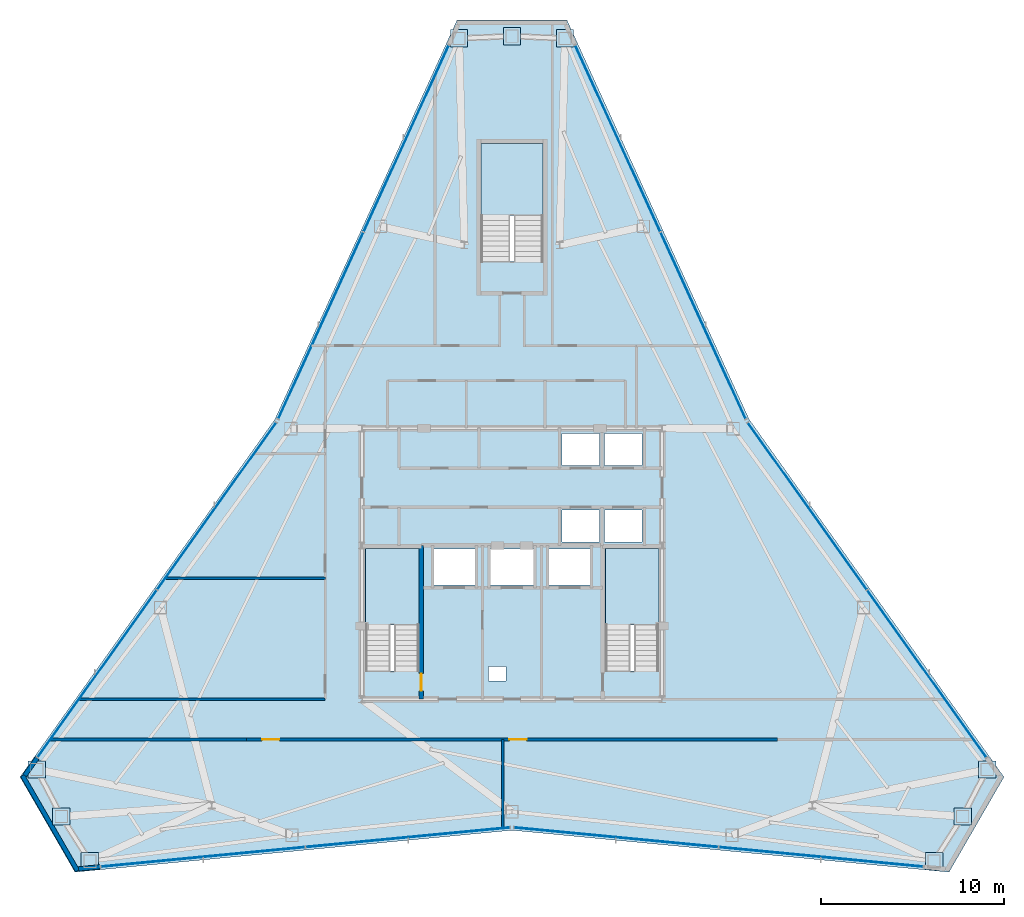
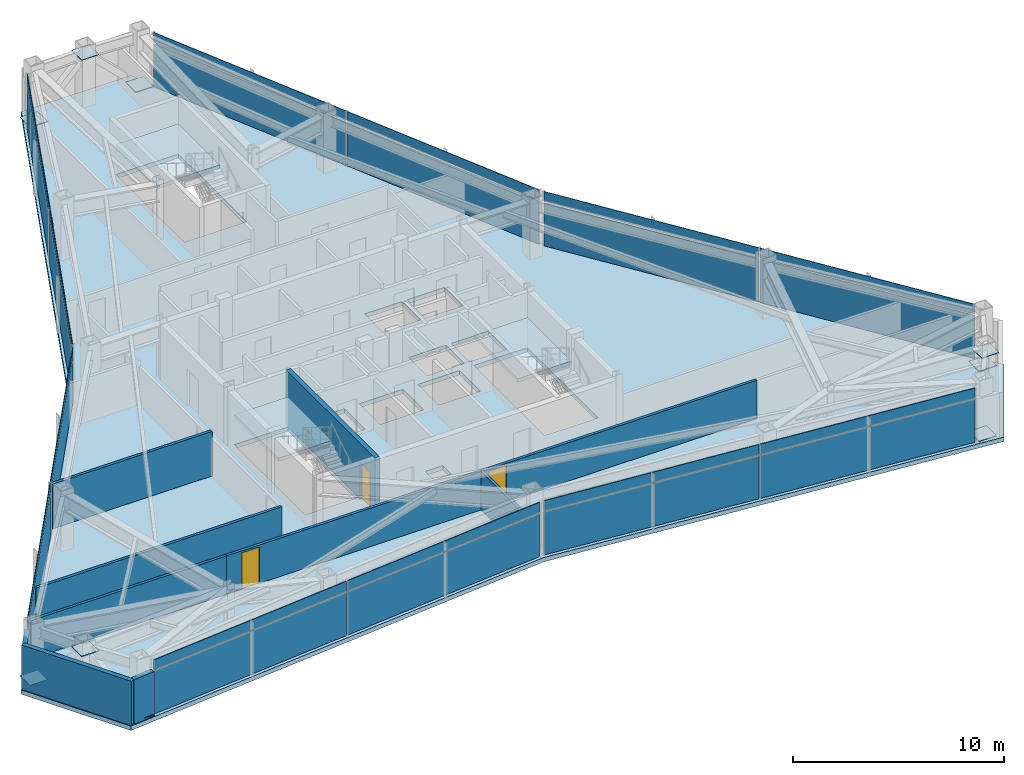
# One storey, part 8 of 11: 33 plates, 9 walls, 4 slabs, 3 doors, 3 openings, 9 elements without a shape of their own.
"""IFC4 building model written with IfcOpenShell, lengths in metres."""

from ifc_helpers import new_model, si_unit, direction, frame, frame_2d, origin, origin_2d, place, context, subcontext, project, spatial, polyline, rectangle, outline, extrude, source, transform, mapped, material, layer, layer_set, type_object, type_shapes, element, fill, aggregate, save


model = new_model("IFC4")

# Units and contexts
model_context = context("Model", 3, precision=1e-05, world=origin(), true_north=direction((0.0, 1.0)))
body_context = subcontext(model_context, "Body", "Model", "MODEL_VIEW")
ifc_project = project(units=[si_unit("LENGTHUNIT", "METRE"), si_unit("AREAUNIT", "SQUARE_METRE"), si_unit("VOLUMEUNIT", "CUBIC_METRE"), si_unit("PLANEANGLEUNIT", "RADIAN"), si_unit("MASSUNIT", "GRAM", prefix="KILO")], contexts=[model_context])

# Site, building, storey
site_placement = place(None, origin())
site = spatial("IfcSite", under=ifc_project, at=site_placement, CompositionType="ELEMENT")
building_placement = place(site_placement, origin())
building = spatial("IfcBuilding", under=site, at=building_placement, Name="Varakhsha Concourse Tower", CompositionType="ELEMENT")
storey_placement = place(building_placement, frame((0.0, 0.0, 246.89990234375)))
storey = spatial("IfcBuildingStorey", under=building, at=storey_placement, Name="L70", CompositionType="ELEMENT", Elevation=246.89990234375)

# Slab
ifc_material_1 = material(Name="Concrete fc 45 MPa", Category="concrete")
ifc_layer_1 = layer(ifc_material_1, 0.25, Name="SL-FLR-250")
ifc_layer_set_1 = layer_set([ifc_layer_1], Name="Concrete fc 45 MPa")
slab_type_1 = type_object("IfcSlabType", Name="SL-FLR-250", PredefinedType="FLOOR", material=ifc_layer_set_1)
slab_1_placement = place(storey_placement, frame((0.0, 0.0, -0.25)))
element("IfcSlab", 1, at=slab_1_placement, inside=storey, type_object=slab_type_1, Name="L70 Composite Structural Slab", PredefinedType="FLOOR", context=body_context, shape_type="SweptSolid", body=[
    extrude(outline(polyline([(43.0, 53.4970703125), (37.0, 53.4970703125), (27.04443359375, 31.679931640625), (13.1279296875, 12.1494140625), (16.1279296875, 6.953369140625), (40.0, 9.240234375), (63.8720703125, 6.953369140625), (66.8720703125, 12.1494140625), (52.95556640625, 31.679931640625), (43.0, 53.4970703125)]), holes=[polyline([(34.919921875, 17.93994140625), (34.919921875, 24.6298828125), (32.0, 24.6298828125), (32.0, 17.93994140625), (34.919921875, 17.93994140625)]), polyline([(48.02001953125, 17.93994140625), (48.02001953125, 24.6298828125), (45.10009765625, 24.6298828125), (45.10009765625, 17.93994140625), (48.02001953125, 17.93994140625)]), polyline([(41.699951171875, 40.300048828125), (41.699951171875, 46.75), (38.300048828125, 46.75), (38.300048828125, 40.300048828125), (41.699951171875, 40.300048828125)]), polyline([(42.739990234375, 29.159912109375), (44.780029296875, 29.159912109375), (44.780029296875, 30.89990234375), (42.739990234375, 30.89990234375), (42.739990234375, 29.159912109375)]), polyline([(45.06005859375, 29.159912109375), (47.10009765625, 29.159912109375), (47.10009765625, 30.89990234375), (45.06005859375, 30.89990234375), (45.06005859375, 29.159912109375)]), polyline([(42.739990234375, 25.0), (44.780029296875, 25.0), (44.780029296875, 26.739990234375), (42.739990234375, 26.739990234375), (42.739990234375, 25.0)]), polyline([(45.06005859375, 25.0), (47.10009765625, 25.0), (47.10009765625, 26.739990234375), (45.06005859375, 26.739990234375), (45.06005859375, 25.0)]), polyline([(35.7099609375, 22.639892578125), (37.989990234375, 22.639892578125), (37.989990234375, 24.60009765625), (35.7099609375, 24.60009765625), (35.7099609375, 22.639892578125)]), polyline([(42.010009765625, 22.639892578125), (44.2900390625, 22.639892578125), (44.2900390625, 24.60009765625), (42.010009765625, 24.60009765625), (42.010009765625, 22.639892578125)]), polyline([(38.81005859375, 22.639892578125), (41.18994140625, 22.639892578125), (41.18994140625, 24.60009765625), (38.81005859375, 24.60009765625), (38.81005859375, 22.639892578125)]), polyline([(38.719970703125, 17.39990234375), (39.679931640625, 17.39990234375), (39.679931640625, 18.199951171875), (38.719970703125, 18.199951171875), (38.719970703125, 17.39990234375)])]), origin(), (0.0, 0.0, 1.0), 0.25),
])

# Stair, slab
stair_type_1 = type_object("IfcStairType", Name="ST-DOGLEG-1360", PredefinedType="HALF_TURN_STAIR", material=ifc_material_1)
stair_1_placement = place(storey_placement, origin())
stair_1 = element("IfcStair", 2, at=stair_1_placement, inside=storey, type_object=stair_type_1, Name="L70 Protected Exit Stair ST1", PredefinedType="HALF_TURN_STAIR")
ifc_layer_2 = layer(ifc_material_1, 0.199951171875, Name="SL-LAND-200")
ifc_layer_set_2 = layer_set([ifc_layer_2], Name="Concrete fc 45 MPa")
slab_type_2 = type_object("IfcSlabType", Name="SL-LAND-200", PredefinedType="LANDING", material=ifc_layer_set_2)
slab_2_placement = place(storey_placement, frame((0.0, 0.0, 1.550048828125)))
slab_2 = element("IfcSlab", 3, at=slab_2_placement, type_object=slab_type_2, Name="ST1 landing 1", PredefinedType="LANDING", context=body_context, shape_type="SweptSolid", body=[
    extrude(outline(polyline([(34.919921875, 20.4599609375), (34.919921875, 24.6298828125), (32.0, 24.6298828125), (32.0, 20.4599609375), (34.919921875, 20.4599609375)])), origin(), (0.0, 0.0, 1.0), 0.199951171875),
])
aggregate(stair_1, [slab_2])

stair_2_placement = place(storey_placement, origin())
stair_2 = element("IfcStair", 4, at=stair_2_placement, inside=storey, type_object=stair_type_1, Name="L70 Protected Exit Stair ST2", PredefinedType="HALF_TURN_STAIR")
slab_3_placement = place(storey_placement, frame((0.0, 0.0, 1.550048828125)))
slab_3 = element("IfcSlab", 5, at=slab_3_placement, type_object=slab_type_2, Name="ST2 landing 1", PredefinedType="LANDING", context=body_context, shape_type="SweptSolid", body=[
    extrude(outline(polyline([(48.02001953125, 20.4599609375), (48.02001953125, 24.6298828125), (45.10009765625, 24.6298828125), (45.10009765625, 20.4599609375), (48.02001953125, 20.4599609375)])), origin(), (0.0, 0.0, 1.0), 0.199951171875),
])
aggregate(stair_2, [slab_3])

stair_type_2 = type_object("IfcStairType", Name="ST-DOGLEG-1600", PredefinedType="HALF_TURN_STAIR", material=ifc_material_1)
stair_3_placement = place(storey_placement, origin())
stair_3 = element("IfcStair", 6, at=stair_3_placement, inside=storey, type_object=stair_type_2, Name="L70 Protected Exit Stair ST5", PredefinedType="HALF_TURN_STAIR")
slab_4_placement = place(storey_placement, frame((0.0, 0.0, 1.550048828125)))
slab_4 = element("IfcSlab", 7, at=slab_4_placement, type_object=slab_type_2, Name="ST5 landing 1", PredefinedType="LANDING", context=body_context, shape_type="SweptSolid", body=[
    extrude(outline(polyline([(41.699951171875, 42.820068359375), (41.699951171875, 46.75), (38.300048828125, 46.75), (38.300048828125, 42.820068359375), (41.699951171875, 42.820068359375)])), origin(), (0.0, 0.0, 1.0), 0.199951171875),
])
aggregate(stair_3, [slab_4])

# Plates
ifc_material_2 = material(Name="Structural Steel ASTM A572 Grade 50", Category="steel")
ifc_layer_3 = layer(ifc_material_2, 0.030029296875, Name="PL-ENDCAP-950")
ifc_layer_set_3 = layer_set([ifc_layer_3], Name="Structural Steel ASTM A572 Grade 50")
plate_type_1 = type_object("IfcPlateType", Name="PL-ENDCAP-950", PredefinedType="USERDEFINED", material=ifc_layer_set_3)
shared_shape_1 = source(origin(), body_context, "Body", "SweptSolid", [
    extrude(rectangle(XDim=0.949951171875, YDim=0.949951171875, at=origin_2d()), origin(), (0.0, 0.0, 1.0), 0.030029296875),
])
type_shapes(plate_type_1, [shared_shape_1])
for number, where, z_axis, x_axis, name in (
    (8, (42.89697265625, 52.490478515625, 0.10498046875), (0.0, 0.0, 1.0), (1.0, 0.0, 0.0), "Hollow Section End Cap GP-NODE-L70-0715"),
    (9, (40.0, 52.6171875, 2.88525390625), (0.0, 0.0, 1.0), (1.0, 0.0, 0.0), "Hollow Section End Cap GP-NODE-L70-0716"),
    (10, (37.10302734375, 52.490478515625, 0.10498046875), (0.0, 0.0, 1.0), (1.0, 0.0, 0.0), "Hollow Section End Cap GP-NODE-L70-0717"),
    (11, (14.05126953125, 12.563720703125, 0.10498046875), (0.0, 0.0, 1.0), (1.0, 0.0, 0.0), "Hollow Section End Cap GP-NODE-L70-0718"),
    (12, (15.389892578125, 9.991455078125, 2.88525390625), (0.0, 0.0, 1.0), (1.0, 0.0, 0.0), "Hollow Section End Cap GP-NODE-L70-0719"),
    (13, (16.9482421875, 7.5458984375, 0.10498046875), (0.0, 0.0, 1.0), (1.0, 0.0, 0.0), "Hollow Section End Cap GP-NODE-L70-0720"),
    (14, (63.0517578125, 7.5458984375, 0.10498046875), (0.0, 0.0, 1.0), (1.0, 0.0, 0.0), "Hollow Section End Cap GP-NODE-L70-0721"),
    (15, (64.610107421875, 9.991455078125, 2.88525390625), (0.0, 0.0, 1.0), (1.0, 0.0, 0.0), "Hollow Section End Cap GP-NODE-L70-0722"),
    (16, (65.94873046875, 12.563720703125, 0.10498046875), (0.0, 0.0, 1.0), (1.0, 0.0, 0.0), "Hollow Section End Cap GP-NODE-L70-0723"),
):
    element("IfcPlate", number, at=place(storey_placement, frame(where, z_axis=z_axis, x_axis=x_axis)), inside=storey, type_object=plate_type_1, Name=name, ObjectType="END PLATE", PredefinedType="USERDEFINED", context=body_context, shape_type="MappedRepresentation", body=[
        mapped(shared_shape_1, transform((0.0, 0.0, 0.0), scale=1.0)),
    ])

# Curtain wall, plates
ifc_material_3 = material(Name="Anodised Bronze Architectural Aluminium AA 6063-T6", Category="aluminium")
ifc_layer_4 = layer(ifc_material_3, 0.199951171875, Name="CW-SYS-05")
ifc_layer_set_4 = layer_set([ifc_layer_4], Name="Anodised Bronze Architectural Aluminium AA 6063-T6")
curtain_wall_type = type_object("IfcCurtainWallType", Name="CW-SYS-05", PredefinedType="NOTDEFINED", material=ifc_layer_set_4)
curtain_wall_1_placement = place(storey_placement, origin())
curtain_wall_1 = element("IfcCurtainWall", 17, at=curtain_wall_1_placement, inside=storey, type_object=curtain_wall_type, Name="L70 Crystal Curtain Wall F2", PredefinedType="NOTDEFINED")
ifc_material_4 = material(Name="Insulated Anodised Bronze Aluminium Spandrel 36 mm", Category="aluminium")
ifc_layer_5 = layer(ifc_material_4, 0.035888671875, Name="CWP-SPN-36")
ifc_layer_set_5 = layer_set([ifc_layer_5], Name="Insulated Anodised Bronze Aluminium Spandrel 36 mm")
plate_type_2 = type_object("IfcPlateType", Name="CWP-SPN-36", PredefinedType="USERDEFINED", material=ifc_layer_set_5)
shared_shape_2 = source(origin(), body_context, "Body", "SweptSolid", [
    extrude(rectangle(XDim=11.171630859375, YDim=0.035888671875, at=origin_2d()), origin(), (0.0, 0.0, 1.0), 0.5859375),
])
plate_1_placement = place(storey_placement, frame((29.556396484375, 36.79931640625, 2.58203125), z_axis=(0.0, 0.0, 1.0), x_axis=(0.415133120597, 0.909760678521, 0.0)))
plate_1 = element("IfcPlate", 18, at=plate_1_placement, type_object=plate_type_2, Name="CW-L70-F2 Panel 00-01", ObjectType="SPANDREL", PredefinedType="USERDEFINED", context=body_context, shape_type="MappedRepresentation", body=[
    mapped(shared_shape_2, transform((0.0, 0.0, 0.0), scale=1.0)),
])
plate_2_placement = place(storey_placement, frame((34.222900390625, 47.025634765625, 2.58203125), z_axis=(0.0, 0.0, 1.0), x_axis=(0.415133120597, 0.909760678521, 0.0)))
plate_2 = element("IfcPlate", 19, at=plate_2_placement, type_object=plate_type_2, Name="CW-L70-F2 Panel 01-01", ObjectType="SPANDREL", PredefinedType="USERDEFINED", context=body_context, shape_type="MappedRepresentation", body=[
    mapped(shared_shape_2, transform((0.0, 0.0, 0.0), scale=1.0)),
])

curtain_wall_2_placement = place(storey_placement, origin())
curtain_wall_2 = element("IfcCurtainWall", 20, at=curtain_wall_2_placement, inside=storey, type_object=curtain_wall_type, Name="L70 Crystal Curtain Wall F3", PredefinedType="NOTDEFINED")
plate_3_placement = place(storey_placement, frame((17.34375, 17.790283203125, 2.58203125), z_axis=(0.0, 0.0, 1.0), x_axis=(0.580306455883, 0.814398193306, 0.0)))
plate_3 = element("IfcPlate", 21, at=plate_3_placement, type_object=plate_type_2, Name="CW-L70-F3 Panel 00-01", ObjectType="SPANDREL", PredefinedType="USERDEFINED", context=body_context, shape_type="MappedRepresentation", body=[
    mapped(shared_shape_2, transform((0.0, 0.0, 0.0), scale=1.0)),
])
plate_4_placement = place(storey_placement, frame((23.866943359375, 26.944580078125, 2.58203125), z_axis=(0.0, 0.0, 1.0), x_axis=(0.580306455883, 0.814398193306, 0.0)))
plate_4 = element("IfcPlate", 22, at=plate_4_placement, type_object=plate_type_2, Name="CW-L70-F3 Panel 01-01", ObjectType="SPANDREL", PredefinedType="USERDEFINED", context=body_context, shape_type="MappedRepresentation", body=[
    mapped(shared_shape_2, transform((0.0, 0.0, 0.0), scale=1.0)),
])

# Curtain wall, plate
curtain_wall_3_placement = place(storey_placement, origin())
curtain_wall_3 = element("IfcCurtainWall", 23, at=curtain_wall_3_placement, inside=storey, type_object=curtain_wall_type, Name="L70 Crystal Curtain Wall F5", PredefinedType="NOTDEFINED")
plate_5_placement = place(storey_placement, frame((23.120849609375, 7.783935546875, 2.58203125), z_axis=(0.0, 0.0, 1.0), x_axis=(-0.995442585703, -0.095362773497, 0.0)))
plate_5 = element("IfcPlate", 24, at=plate_5_placement, type_object=plate_type_2, Name="CW-L70-F5 Panel 01-01", ObjectType="SPANDREL", PredefinedType="USERDEFINED", context=body_context, shape_type="MappedRepresentation", body=[
    mapped(shared_shape_2, transform((0.0, 0.0, 0.0), scale=1.0)),
])

curtain_wall_4_placement = place(storey_placement, origin())
curtain_wall_4 = element("IfcCurtainWall", 25, at=curtain_wall_4_placement, inside=storey, type_object=curtain_wall_type, Name="L70 Crystal Curtain Wall F6", PredefinedType="NOTDEFINED")
plate_6_placement = place(storey_placement, frame((45.689697265625, 8.85595703125, 2.58203125), z_axis=(0.0, 0.0, 1.0), x_axis=(-0.995442585703, 0.095362773497, 0.0)))
plate_6 = element("IfcPlate", 26, at=plate_6_placement, type_object=plate_type_2, Name="CW-L70-F6 Panel 01-01", ObjectType="SPANDREL", PredefinedType="USERDEFINED", context=body_context, shape_type="MappedRepresentation", body=[
    mapped(shared_shape_2, transform((0.0, 0.0, 0.0), scale=1.0)),
])

# Curtain wall, plates
curtain_wall_5_placement = place(storey_placement, origin())
curtain_wall_5 = element("IfcCurtainWall", 27, at=curtain_wall_5_placement, inside=storey, type_object=curtain_wall_type, Name="L70 Crystal Curtain Wall F8", PredefinedType="NOTDEFINED")
plate_7_placement = place(storey_placement, frame((56.133056640625, 26.944580078125, 2.58203125), z_axis=(0.0, 0.0, 1.0), x_axis=(0.580306455883, -0.814398193306, 0.0)))
plate_7 = element("IfcPlate", 28, at=plate_7_placement, type_object=plate_type_2, Name="CW-L70-F8 Panel 00-01", ObjectType="SPANDREL", PredefinedType="USERDEFINED", context=body_context, shape_type="MappedRepresentation", body=[
    mapped(shared_shape_2, transform((0.0, 0.0, 0.0), scale=1.0)),
])
plate_8_placement = place(storey_placement, frame((62.65625, 17.790283203125, 2.58203125), z_axis=(0.0, 0.0, 1.0), x_axis=(0.580306455883, -0.814398193306, 0.0)))
plate_8 = element("IfcPlate", 29, at=plate_8_placement, type_object=plate_type_2, Name="CW-L70-F8 Panel 01-01", ObjectType="SPANDREL", PredefinedType="USERDEFINED", context=body_context, shape_type="MappedRepresentation", body=[
    mapped(shared_shape_2, transform((0.0, 0.0, 0.0), scale=1.0)),
])

curtain_wall_6_placement = place(storey_placement, origin())
curtain_wall_6 = element("IfcCurtainWall", 30, at=curtain_wall_6_placement, inside=storey, type_object=curtain_wall_type, Name="L70 Crystal Curtain Wall F9", PredefinedType="NOTDEFINED")
plate_9_placement = place(storey_placement, frame((45.777099609375, 47.025634765625, 2.58203125), z_axis=(0.0, 0.0, 1.0), x_axis=(0.415133120597, -0.909760678521, 0.0)))
plate_9 = element("IfcPlate", 31, at=plate_9_placement, type_object=plate_type_2, Name="CW-L70-F9 Panel 00-01", ObjectType="SPANDREL", PredefinedType="USERDEFINED", context=body_context, shape_type="MappedRepresentation", body=[
    mapped(shared_shape_2, transform((0.0, 0.0, 0.0), scale=1.0)),
])
plate_10_placement = place(storey_placement, frame((50.443603515625, 36.79931640625, 2.58203125), z_axis=(0.0, 0.0, 1.0), x_axis=(0.415133120597, -0.909760678521, 0.0)))
plate_10 = element("IfcPlate", 32, at=plate_10_placement, type_object=plate_type_2, Name="CW-L70-F9 Panel 01-01", ObjectType="SPANDREL", PredefinedType="USERDEFINED", context=body_context, shape_type="MappedRepresentation", body=[
    mapped(shared_shape_2, transform((0.0, 0.0, 0.0), scale=1.0)),
])

# Plate
shared_shape_3 = source(origin(), body_context, "Body", "SweptSolid", [
    extrude(rectangle(XDim=11.171875, YDim=0.035888671875, at=origin_2d()), origin(), (0.0, 0.0, 1.0), 0.5859375),
])
type_shapes(plate_type_2, [shared_shape_2, shared_shape_3])
plate_11_placement = place(storey_placement, frame((34.310302734375, 8.85595703125, 2.58203125), z_axis=(0.0, 0.0, 1.0), x_axis=(-0.995442585703, -0.095362773497, 0.0)))
plate_11 = element("IfcPlate", 33, at=plate_11_placement, type_object=plate_type_2, Name="CW-L70-F5 Panel 00-01", ObjectType="SPANDREL", PredefinedType="USERDEFINED", context=body_context, shape_type="MappedRepresentation", body=[
    mapped(shared_shape_3, transform((0.0, 0.0, 0.0), scale=1.0)),
])

plate_12_placement = place(storey_placement, frame((56.879150390625, 7.783935546875, 2.58203125), z_axis=(0.0, 0.0, 1.0), x_axis=(-0.995442585703, 0.095362773497, 0.0)))
plate_12 = element("IfcPlate", 34, at=plate_12_placement, type_object=plate_type_2, Name="CW-L70-F6 Panel 00-01", ObjectType="SPANDREL", PredefinedType="USERDEFINED", context=body_context, shape_type="MappedRepresentation", body=[
    mapped(shared_shape_3, transform((0.0, 0.0, 0.0), scale=1.0)),
])

ifc_material_5 = material(Name="Low-E Triple Insulating Glass IGU 44 mm", Category="glass")
ifc_layer_6 = layer(ifc_material_5, 0.0439453125, Name="CWP-IGU-44")
ifc_layer_set_6 = layer_set([ifc_layer_6], Name="Low-E Triple Insulating Glass IGU 44 mm")
plate_type_3 = type_object("IfcPlateType", Name="CWP-IGU-44", PredefinedType="CURTAIN_PANEL", material=ifc_layer_set_6)
shared_shape_4 = source(origin(), body_context, "Body", "SweptSolid", [
    extrude(rectangle(XDim=11.171630859375, YDim=0.0439453125, at=origin_2d()), origin(), (0.0, 0.0, 1.0), 2.486083984375),
])
plate_13_placement = place(storey_placement, frame((29.556396484375, 36.79931640625, 0.0322265625), z_axis=(0.0, 0.0, 1.0), x_axis=(0.415133120597, 0.909760678521, 0.0)))
plate_13 = element("IfcPlate", 35, at=plate_13_placement, type_object=plate_type_3, Name="CW-L70-F2 Panel 00-00", PredefinedType="CURTAIN_PANEL", context=body_context, shape_type="MappedRepresentation", body=[
    mapped(shared_shape_4, transform((0.0, 0.0, 0.0), scale=1.0)),
])

plate_14_placement = place(storey_placement, frame((34.222900390625, 47.025634765625, 0.0322265625), z_axis=(0.0, 0.0, 1.0), x_axis=(0.415133120597, 0.909760678521, 0.0)))
plate_14 = element("IfcPlate", 36, at=plate_14_placement, type_object=plate_type_3, Name="CW-L70-F2 Panel 01-00", PredefinedType="CURTAIN_PANEL", context=body_context, shape_type="MappedRepresentation", body=[
    mapped(shared_shape_4, transform((0.0, 0.0, 0.0), scale=1.0)),
])

aggregate(curtain_wall_1, [plate_13, plate_1, plate_14, plate_2])

plate_15_placement = place(storey_placement, frame((17.34375, 17.790283203125, 0.0322265625), z_axis=(0.0, 0.0, 1.0), x_axis=(0.580306455883, 0.814398193306, 0.0)))
plate_15 = element("IfcPlate", 37, at=plate_15_placement, type_object=plate_type_3, Name="CW-L70-F3 Panel 00-00", PredefinedType="CURTAIN_PANEL", context=body_context, shape_type="MappedRepresentation", body=[
    mapped(shared_shape_4, transform((0.0, 0.0, 0.0), scale=1.0)),
])

plate_16_placement = place(storey_placement, frame((23.866943359375, 26.944580078125, 0.0322265625), z_axis=(0.0, 0.0, 1.0), x_axis=(0.580306455883, 0.814398193306, 0.0)))
plate_16 = element("IfcPlate", 38, at=plate_16_placement, type_object=plate_type_3, Name="CW-L70-F3 Panel 01-00", PredefinedType="CURTAIN_PANEL", context=body_context, shape_type="MappedRepresentation", body=[
    mapped(shared_shape_4, transform((0.0, 0.0, 0.0), scale=1.0)),
])

aggregate(curtain_wall_2, [plate_15, plate_3, plate_16, plate_4])

plate_17_placement = place(storey_placement, frame((23.120849609375, 7.783935546875, 0.0322265625), z_axis=(0.0, 0.0, 1.0), x_axis=(-0.995442585703, -0.095362773497, 0.0)))
plate_17 = element("IfcPlate", 39, at=plate_17_placement, type_object=plate_type_3, Name="CW-L70-F5 Panel 01-00", PredefinedType="CURTAIN_PANEL", context=body_context, shape_type="MappedRepresentation", body=[
    mapped(shared_shape_4, transform((0.0, 0.0, 0.0), scale=1.0)),
])

plate_18_placement = place(storey_placement, frame((45.689697265625, 8.85595703125, 0.0322265625), z_axis=(0.0, 0.0, 1.0), x_axis=(-0.995442585703, 0.095362773497, 0.0)))
plate_18 = element("IfcPlate", 40, at=plate_18_placement, type_object=plate_type_3, Name="CW-L70-F6 Panel 01-00", PredefinedType="CURTAIN_PANEL", context=body_context, shape_type="MappedRepresentation", body=[
    mapped(shared_shape_4, transform((0.0, 0.0, 0.0), scale=1.0)),
])

plate_19_placement = place(storey_placement, frame((56.133056640625, 26.944580078125, 0.0322265625), z_axis=(0.0, 0.0, 1.0), x_axis=(0.580306455883, -0.814398193306, 0.0)))
plate_19 = element("IfcPlate", 41, at=plate_19_placement, type_object=plate_type_3, Name="CW-L70-F8 Panel 00-00", PredefinedType="CURTAIN_PANEL", context=body_context, shape_type="MappedRepresentation", body=[
    mapped(shared_shape_4, transform((0.0, 0.0, 0.0), scale=1.0)),
])

plate_20_placement = place(storey_placement, frame((62.65625, 17.790283203125, 0.0322265625), z_axis=(0.0, 0.0, 1.0), x_axis=(0.580306455883, -0.814398193306, 0.0)))
plate_20 = element("IfcPlate", 42, at=plate_20_placement, type_object=plate_type_3, Name="CW-L70-F8 Panel 01-00", PredefinedType="CURTAIN_PANEL", context=body_context, shape_type="MappedRepresentation", body=[
    mapped(shared_shape_4, transform((0.0, 0.0, 0.0), scale=1.0)),
])

aggregate(curtain_wall_5, [plate_19, plate_7, plate_20, plate_8])

plate_21_placement = place(storey_placement, frame((45.777099609375, 47.025634765625, 0.0322265625), z_axis=(0.0, 0.0, 1.0), x_axis=(0.415133120597, -0.909760678521, 0.0)))
plate_21 = element("IfcPlate", 43, at=plate_21_placement, type_object=plate_type_3, Name="CW-L70-F9 Panel 00-00", PredefinedType="CURTAIN_PANEL", context=body_context, shape_type="MappedRepresentation", body=[
    mapped(shared_shape_4, transform((0.0, 0.0, 0.0), scale=1.0)),
])

plate_22_placement = place(storey_placement, frame((50.443603515625, 36.79931640625, 0.0322265625), z_axis=(0.0, 0.0, 1.0), x_axis=(0.415133120597, -0.909760678521, 0.0)))
plate_22 = element("IfcPlate", 44, at=plate_22_placement, type_object=plate_type_3, Name="CW-L70-F9 Panel 01-00", PredefinedType="CURTAIN_PANEL", context=body_context, shape_type="MappedRepresentation", body=[
    mapped(shared_shape_4, transform((0.0, 0.0, 0.0), scale=1.0)),
])

aggregate(curtain_wall_6, [plate_21, plate_9, plate_22, plate_10])

shared_shape_5 = source(origin(), body_context, "Body", "SweptSolid", [
    extrude(rectangle(XDim=11.171875, YDim=0.0439453125, at=origin_2d()), origin(), (0.0, 0.0, 1.0), 2.486083984375),
])
type_shapes(plate_type_3, [shared_shape_4, shared_shape_5])
plate_23_placement = place(storey_placement, frame((34.310302734375, 8.85595703125, 0.0322265625), z_axis=(0.0, 0.0, 1.0), x_axis=(-0.995442585703, -0.095362773497, 0.0)))
plate_23 = element("IfcPlate", 45, at=plate_23_placement, type_object=plate_type_3, Name="CW-L70-F5 Panel 00-00", PredefinedType="CURTAIN_PANEL", context=body_context, shape_type="MappedRepresentation", body=[
    mapped(shared_shape_5, transform((0.0, 0.0, 0.0), scale=1.0)),
])

aggregate(curtain_wall_3, [plate_23, plate_11, plate_17, plate_5])

plate_24_placement = place(storey_placement, frame((56.879150390625, 7.783935546875, 0.0322265625), z_axis=(0.0, 0.0, 1.0), x_axis=(-0.995442585703, 0.095362773497, 0.0)))
plate_24 = element("IfcPlate", 46, at=plate_24_placement, type_object=plate_type_3, Name="CW-L70-F6 Panel 00-00", PredefinedType="CURTAIN_PANEL", context=body_context, shape_type="MappedRepresentation", body=[
    mapped(shared_shape_5, transform((0.0, 0.0, 0.0), scale=1.0)),
])

aggregate(curtain_wall_4, [plate_24, plate_12, plate_18, plate_6])

# Walls
ifc_layer_7 = layer(ifc_material_1, 0.239990234375, Name="WL-EXT-CRN-240")
ifc_layer_set_7 = layer_set([ifc_layer_7], Name="Concrete fc 45 MPa")
wall_type_1 = type_object("IfcWallType", Name="WL-EXT-CRN-240", PredefinedType="SHEAR", material=ifc_layer_set_7)
wall_1_placement = place(storey_placement, frame((14.0634765625, 13.1865234375, 0.0), z_axis=(0.0, 0.0, 1.0), x_axis=(-0.580347612152, -0.814368865484, 0.0)))
element("IfcWall", 47, at=wall_1_placement, inside=storey, type_object=wall_type_1, Name="L70 Wind-Corner Shoulder Wall F3", PredefinedType="SHEAR", context=body_context, shape_type="SweptSolid", body=[
    extrude(rectangle(XDim=1.16748046875, YDim=0.239990234375, at=frame_2d((0.583740234375, 0.0))), origin(), (0.0, 0.0, 1.0), 2.572998046875),
])
wall_2_placement = place(storey_placement, frame((16.2666015625, 7.033203125, 0.0), z_axis=(0.0, 0.0, 1.0), x_axis=(-0.499990139034, 0.866031096941, 0.0)))
element("IfcWall", 48, at=wall_2_placement, inside=storey, type_object=wall_type_1, Name="L70 Chamfer Wind-Corner Insulated Wall F4", PredefinedType="SHEAR", context=body_context, shape_type="SweptSolid", body=[
    extrude(rectangle(XDim=6.0, YDim=0.239990234375, at=frame_2d((3.0, 0.0))), origin(), (0.0, 0.0, 1.0), 2.572998046875),
])
wall_3_placement = place(storey_placement, frame((16.33154296875, 7.133544921875, 0.0), z_axis=(0.0, 0.0, 1.0), x_axis=(0.995442685073, 0.095361736217, 0.0)))
element("IfcWall", 49, at=wall_3_placement, inside=storey, type_object=wall_type_1, Name="L70 Wind-Corner Shoulder Wall F5", PredefinedType="SHEAR", context=body_context, shape_type="SweptSolid", body=[
    extrude(rectangle(XDim=1.16748046875, YDim=0.239990234375, at=frame_2d((0.583740234375, 0.0))), origin(), (0.0, 0.0, 1.0), 2.572998046875),
])
ifc_material_6 = material(Name="Fire-Rated Type X Gypsum Partition Assembly", Category="gypsum")
ifc_layer_8 = layer(ifc_material_6, 0.14990234375, Name="WL-PART-150")
ifc_layer_set_8 = layer_set([ifc_layer_8], Name="Fire-Rated Type X Gypsum Partition Assembly")
wall_type_2 = type_object("IfcWallType", Name="WL-PART-150", PredefinedType="PARTITIONING", material=ifc_layer_set_8)
wall_4_placement = place(storey_placement, frame((14.79150390625, 14.199951171875, 0.0), z_axis=(0.0, 0.0, 1.0), x_axis=(1.0, 0.0, 0.0)))
element("IfcWall", 50, at=wall_4_placement, inside=storey, type_object=wall_type_2, Name="L70 Wall CRW-SGAL-SW-L70", PredefinedType="PARTITIONING", context=body_context, shape_type="SweptSolid", body=[
    extrude(rectangle(XDim=10.70849609375, YDim=0.14990234375, at=frame_2d((5.354248046875, 0.0))), origin(), (0.0, 0.0, 1.0), 2.215087890625),
])
wall_5_placement = place(storey_placement, frame((16.359130859375, 16.39990234375, 0.0), z_axis=(0.0, 0.0, 1.0), x_axis=(1.0, 0.0, 0.0)))
element("IfcWall", 51, at=wall_5_placement, inside=storey, type_object=wall_type_2, Name="L70 Wall CRW-SGAL-NW-L70", PredefinedType="PARTITIONING", context=body_context, shape_type="SweptSolid", body=[
    extrude(rectangle(XDim=13.44091796875, YDim=0.14990234375, at=frame_2d((6.720458984375, 0.0))), origin(), (0.0, 0.0, 1.0), 2.215087890625),
])

# Wall, openings, doors
wall_6_placement = place(storey_placement, frame((25.5, 14.199951171875, 0.0), z_axis=(0.0, 0.0, 1.0), x_axis=(1.0, 0.0, 0.0)))
wall_6 = element("IfcWall", 52, at=wall_6_placement, inside=storey, type_object=wall_type_2, Name="L70 Wall CRW-S-DOOR-L70", PredefinedType="PARTITIONING", context=body_context, shape_type="SweptSolid", body=[
    extrude(rectangle(XDim=29.0, YDim=0.14990234375, at=frame_2d((14.5, 0.0))), origin(), (0.0, 0.0, 1.0), 2.215087890625),
])
opening_1_placement = place(wall_6_placement, frame((0.85009765625, 0.0, 0.0)))
opening_1 = element("IfcOpeningElement", 53, at=opening_1_placement, cuts=wall_6, Name="Opening DF-05", PredefinedType="OPENING", context=body_context, shape_type="SweptSolid", body=[
    extrude(rectangle(XDim=0.949951171875, YDim=2.10009765625, at=frame_2d((0.47509765625, 1.050048828125))), frame((0.0, 0.0849609375, 0.0), z_axis=(0.0, -1.0, 0.0), x_axis=(1.0, 0.0, 0.0)), (0.0, 0.0, 1.0), 0.169921875),
])
opening_2_placement = place(wall_6_placement, frame((14.35009765625, 0.0, 0.0)))
opening_2 = element("IfcOpeningElement", 54, at=opening_2_placement, cuts=wall_6, Name="Opening DF-05", PredefinedType="OPENING", context=body_context, shape_type="SweptSolid", body=[
    extrude(rectangle(XDim=0.949951171875, YDim=2.10009765625, at=frame_2d((0.47509765625, 1.050048828125))), frame((0.0, 0.0849609375, 0.0), z_axis=(0.0, -1.0, 0.0), x_axis=(1.0, 0.0, 0.0)), (0.0, 0.0, 1.0), 0.169921875),
])
ifc_material_7 = material(Name="Hollow Galvanised Steel Fire Door Assembly", Category="steel")
door_type_1 = type_object("IfcDoorType", Name="DR-FD60-950", OperationType="NOTDEFINED", PredefinedType="DOOR", material=ifc_material_7)
door_1_placement = place(opening_1_placement, origin())
door_1 = element("IfcDoor", 55, at=door_1_placement, inside=storey, type_object=door_type_1, Name="L70 Project Controls Workroom L70-S1 Door", OperationType="SINGLE_SWING_LEFT", OverallHeight=2.10009765625, OverallWidth=0.949951171875, PredefinedType="DOOR", context=body_context, shape_type="SweptSolid", body=[
    extrude(rectangle(XDim=0.949951171875, YDim=2.10009765625, at=frame_2d((0.47509765625, 1.050048828125))), frame((0.0, 0.02490234375, 0.0), z_axis=(0.0, -1.0, 0.0), x_axis=(1.0, 0.0, 0.0)), (0.0, 0.0, 1.0), 0.050048828125),
])
fill(opening_1, door_1)
door_2_placement = place(opening_2_placement, origin())
door_2 = element("IfcDoor", 56, at=door_2_placement, inside=storey, type_object=door_type_1, Name="L70 Strategic Advisory Office Suite L70-S2 Door", OperationType="SINGLE_SWING_RIGHT", OverallHeight=2.10009765625, OverallWidth=0.949951171875, PredefinedType="DOOR", context=body_context, shape_type="SweptSolid", body=[
    extrude(rectangle(XDim=0.949951171875, YDim=2.10009765625, at=frame_2d((0.47509765625, 1.050048828125))), frame((0.0, 0.02490234375, 0.0), z_axis=(0.0, -1.0, 0.0), x_axis=(1.0, 0.0, 0.0)), (0.0, 0.0, 1.0), 0.050048828125),
])
fill(opening_2, door_2)

# Walls
wall_7_placement = place(storey_placement, frame((39.5, 9.358154296875, 0.0), z_axis=(0.0, 0.0, 1.0), x_axis=(0.0, 1.0, 0.0)))
element("IfcWall", 57, at=wall_7_placement, inside=storey, type_object=wall_type_2, Name="L70 Wall ODIV-S1-L70", PredefinedType="PARTITIONING", context=body_context, shape_type="SweptSolid", body=[
    extrude(rectangle(XDim=4.841796875, YDim=0.14990234375, at=frame_2d((2.4208984375, 0.0))), origin(), (0.0, 0.0, 1.0), 2.215087890625),
])
wall_8_placement = place(storey_placement, frame((21.06201171875, 23.0, 0.0), z_axis=(0.0, 0.0, 1.0), x_axis=(1.0, 0.0, 0.0)))
element("IfcWall", 58, at=wall_8_placement, inside=storey, type_object=wall_type_2, Name="L70 Wall ODIV-W1-L70", PredefinedType="PARTITIONING", context=body_context, shape_type="SweptSolid", body=[
    extrude(rectangle(XDim=8.738037109375, YDim=0.14990234375, at=frame_2d((4.369140625, 0.0))), origin(), (0.0, 0.0, 1.0), 2.578125),
])

# Wall, opening, door
ifc_layer_9 = layer(ifc_material_1, 0.25, Name="WL-STAIR-250")
ifc_layer_set_9 = layer_set([ifc_layer_9], Name="Concrete fc 45 MPa")
wall_type_3 = type_object("IfcWallType", Name="WL-STAIR-250", PredefinedType="SHEAR", material=ifc_layer_set_9)
wall_9_placement = place(storey_placement, frame((35.044921875, 16.39990234375, 0.0), z_axis=(0.0, 0.0, 1.0), x_axis=(0.0, 1.0, 0.0)))
wall_9 = element("IfcWall", 59, at=wall_9_placement, inside=storey, type_object=wall_type_3, Name="L70 Wall SWALL-ST1-E-L70", PredefinedType="SHEAR", context=body_context, shape_type="SweptSolid", body=[
    extrude(rectangle(XDim=8.400146484375, YDim=0.25, at=frame_2d((4.2001953125, 0.0))), origin(), (0.0, 0.0, 1.0), 3.2001953125),
])
opening_3_placement = place(wall_9_placement, frame((0.449951171875, 0.0, 0.0)))
opening_3 = element("IfcOpeningElement", 60, at=opening_3_placement, cuts=wall_9, Name="Opening DF-03", PredefinedType="OPENING", context=body_context, shape_type="SweptSolid", body=[
    extrude(rectangle(XDim=0.949951171875, YDim=2.10009765625, at=frame_2d((0.47509765625, 1.050048828125))), frame((0.0, 0.135009765625, 0.0), z_axis=(0.0, -1.0, 0.0), x_axis=(1.0, 0.0, 0.0)), (0.0, 0.0, 1.0), 0.27001953125),
])
door_type_2 = type_object("IfcDoorType", Name="DR-FD90-950", OperationType="NOTDEFINED", PredefinedType="DOOR", material=ifc_material_7)
door_3_placement = place(opening_3_placement, origin())
door_3 = element("IfcDoor", 61, at=door_3_placement, inside=storey, type_object=door_type_2, Name="L70 Stair ST1 Fire Door", OperationType="SINGLE_SWING_LEFT", OverallHeight=2.10009765625, OverallWidth=0.949951171875, PredefinedType="DOOR", context=body_context, shape_type="SweptSolid", body=[
    extrude(rectangle(XDim=0.949951171875, YDim=2.10009765625, at=frame_2d((0.47509765625, 1.050048828125))), frame((0.0, 0.02490234375, 0.0), z_axis=(0.0, -1.0, 0.0), x_axis=(1.0, 0.0, 0.0)), (0.0, 0.0, 1.0), 0.050048828125),
])
fill(opening_3, door_3)

save(model, "model.ifc")
